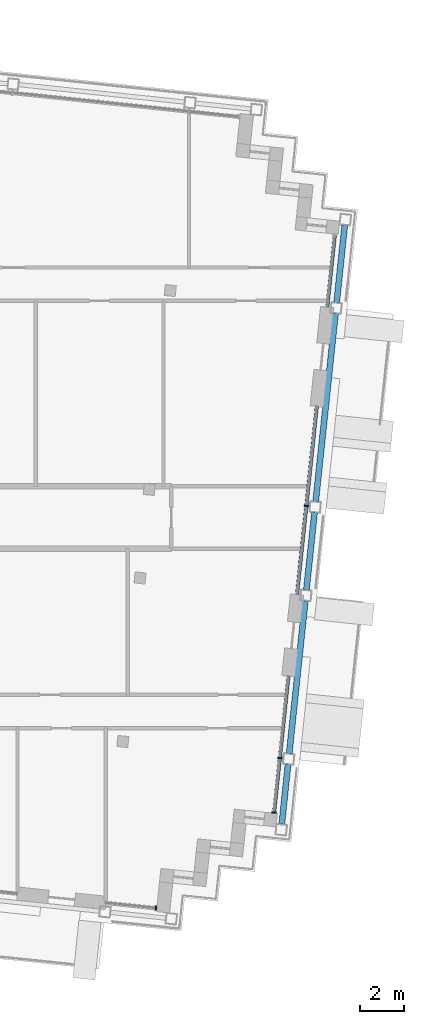
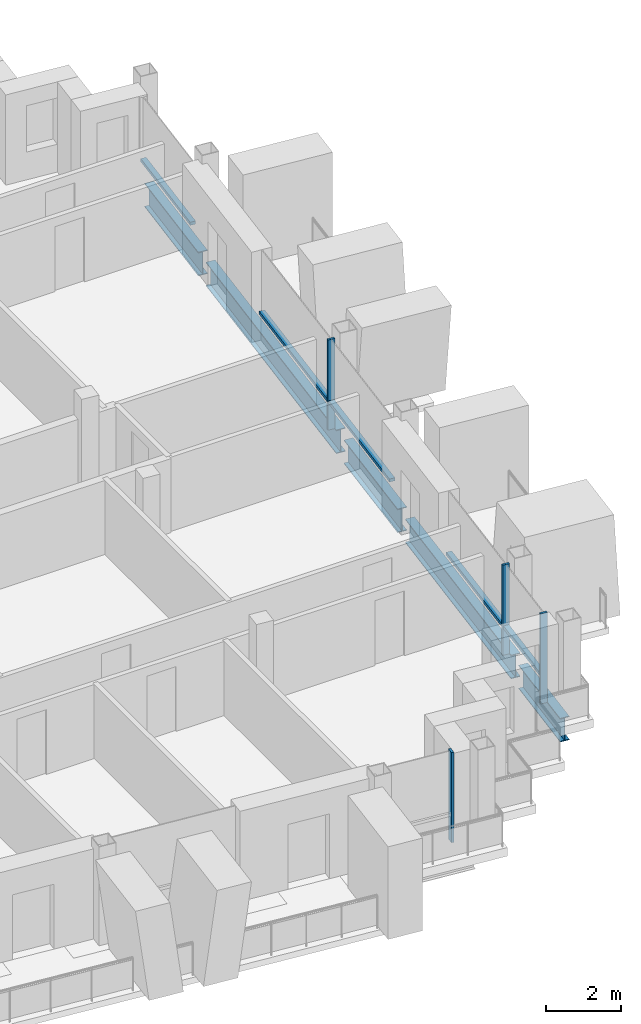
# One storey, part 4 of 16: 9 members, 5 beams, 4 elements without a shape of their own.
"""IFC4 building model written with IfcOpenShell, lengths in metres."""

from ifc_helpers import new_model, si_unit, direction, frame, origin, origin_2d, place, context, subcontext, project, spatial, rectangle, i_section, extrude, material, material_profile, profile_set, type_object, element, aggregate, save


model = new_model("IFC4")

# Units and contexts
model_context = context("Model", 3, precision=1e-05, world=origin(), true_north=direction((0.0, 1.0)))
body_context = subcontext(model_context, "Body", "Model", "MODEL_VIEW")
ifc_project = project(units=[si_unit("LENGTHUNIT", "METRE"), si_unit("AREAUNIT", "SQUARE_METRE"), si_unit("VOLUMEUNIT", "CUBIC_METRE"), si_unit("PLANEANGLEUNIT", "RADIAN"), si_unit("MASSUNIT", "GRAM", prefix="KILO")], contexts=[model_context])

# Site, building, storey
site_placement = place(None, origin())
site = spatial("IfcSite", under=ifc_project, at=site_placement, CompositionType="ELEMENT")
building_placement = place(site_placement, origin())
building = spatial("IfcBuilding", under=site, at=building_placement, Name="Vidyagriha Tower", CompositionType="ELEMENT")
storey_placement = place(building_placement, frame((0.0, 0.0, 275.5)))
storey = spatial("IfcBuildingStorey", under=building, at=storey_placement, Name="L72", CompositionType="ELEMENT", Elevation=275.5)

# Beams
ifc_material_1 = material(Name="Steel ASTM A992 Grade 50", Category="steel")
ifc_material_profile_1 = material_profile(ifc_material_1, i_section(OverallWidth=0.2666015625, OverallDepth=0.76953125, WebThickness=0.015625, FlangeThickness=0.025390625, at=origin_2d()), Name="W30X132")
ifc_profile_set_1 = profile_set([ifc_material_profile_1], Name="Steel ASTM A992 Grade 50")
beam_type = type_object("IfcBeamType", Name="Cantilever edge beam W30X132", PredefinedType="SPANDREL", material=ifc_profile_set_1)
beam_1_placement = place(storey_placement, frame((29.968017578125, -13.79736328125, -0.664794921875), z_axis=(0.104435320588, 0.994531680649, 0.0), x_axis=(-0.994531680649, 0.104435320588, 0.0)))
element("IfcBeam", 1, at=beam_1_placement, inside=storey, type_object=beam_type, Name="st-beam-L72-E13", PredefinedType="SPANDREL", context=body_context, shape_type="SweptSolid", body=[
    extrude(i_section(OverallWidth=0.2666015625, OverallDepth=0.76953125, WebThickness=0.015625, FlangeThickness=0.025390625, at=origin_2d()), origin(), (0.0, 0.0, 1.0), 2.699951171875),
])
beam_2_placement = place(storey_placement, frame((30.30224609375, -10.61474609375, -0.664794921875), z_axis=(0.104557694553, 0.994518822602, 0.0), x_axis=(-0.994518822602, 0.104557694553, 0.0)))
element("IfcBeam", 2, at=beam_2_placement, inside=storey, type_object=beam_type, Name="st-beam-L72-E14", PredefinedType="SPANDREL", context=body_context, shape_type="SweptSolid", body=[
    extrude(i_section(OverallWidth=0.2666015625, OverallDepth=0.76953125, WebThickness=0.015625, FlangeThickness=0.025390625, at=origin_2d()), origin(), (0.0, 0.0, 1.0), 6.89990234375),
])
beam_3_placement = place(storey_placement, frame((31.075927734375, -3.25537109375, -0.664794921875), z_axis=(0.104495960989, 0.994525310958, 0.0), x_axis=(-0.994525310958, 0.104495960989, 0.0)))
element("IfcBeam", 3, at=beam_3_placement, inside=storey, type_object=beam_type, Name="st-beam-L72-E15", PredefinedType="SPANDREL", context=body_context, shape_type="SweptSolid", body=[
    extrude(i_section(OverallWidth=0.2666015625, OverallDepth=0.76953125, WebThickness=0.015625, FlangeThickness=0.025390625, at=origin_2d()), origin(), (0.0, 0.0, 1.0), 3.499755859375),
])
beam_4_placement = place(storey_placement, frame((31.493896484375, 0.72265625, -0.664794921875), z_axis=(0.104550220202, 0.994519608382, 0.0), x_axis=(-0.994519608382, 0.104550220202, 0.0)))
element("IfcBeam", 4, at=beam_4_placement, inside=storey, type_object=beam_type, Name="st-beam-L72-E16", PredefinedType="SPANDREL", context=body_context, shape_type="SweptSolid", body=[
    extrude(i_section(OverallWidth=0.2666015625, OverallDepth=0.76953125, WebThickness=0.015625, FlangeThickness=0.025390625, at=origin_2d()), origin(), (0.0, 0.0, 1.0), 8.5),
])
beam_5_placement = place(storey_placement, frame((32.434814453125, 9.67333984375, -0.664794921875), z_axis=(0.104488712073, 0.994526072584, 0.0), x_axis=(-0.994526072584, 0.104488712073, 0.0)))
element("IfcBeam", 5, at=beam_5_placement, inside=storey, type_object=beam_type, Name="st-beam-L72-E17", PredefinedType="SPANDREL", context=body_context, shape_type="SweptSolid", body=[
    extrude(i_section(OverallWidth=0.2666015625, OverallDepth=0.76953125, WebThickness=0.015625, FlangeThickness=0.025390625, at=origin_2d()), origin(), (0.0, 0.0, 1.0), 3.5),
])

# Curtain wall, member
ifc_material_2 = material(Name="Aluminium and glass curtain wall", Category="aluminium")
curtain_wall_type = type_object("IfcCurtainWallType", Name="Dwelling skin unitised curtain wall", PredefinedType="USERDEFINED", material=ifc_material_2)
curtain_wall_1_placement = place(storey_placement, origin())
curtain_wall_1 = element("IfcCurtainWall", 6, at=curtain_wall_1_placement, inside=storey, type_object=curtain_wall_type, Name="CW1 dwelling skin", ObjectType="UNITISED", PredefinedType="USERDEFINED")
ifc_material_3 = material(Name="Aluminium black anodised", Category="aluminium")
ifc_material_profile_2 = material_profile(ifc_material_3, rectangle(XDim=0.199951171875, YDim=0.070068359375, at=origin_2d()), Name="Mullion 70x200 black aluminium")
ifc_profile_set_2 = profile_set([ifc_material_profile_2], Name="Aluminium black anodised")
member_type_1 = type_object("IfcMemberType", Name="Mullion 70x200 black aluminium", PredefinedType="MULLION", material=ifc_profile_set_2)
member_1_placement = place(storey_placement, frame((24.306884765625, -17.576171875, 0.0), z_axis=(0.0, 0.0, 1.0), x_axis=(0.10452182883, 0.994522592653, 0.0)))
member_1 = element("IfcMember", 7, at=member_1_placement, type_object=member_type_1, Name="CW1 mullion 2", PredefinedType="MULLION", context=body_context, shape_type="SweptSolid", body=[
    extrude(rectangle(XDim=0.199951171875, YDim=0.070068359375, at=origin_2d()), origin(), (0.0, 0.0, 1.0), 2.919921875),
])
aggregate(curtain_wall_1, [member_1])

# Curtain wall, members
curtain_wall_2_placement = place(storey_placement, origin())
curtain_wall_2 = element("IfcCurtainWall", 8, at=curtain_wall_2_placement, inside=storey, type_object=curtain_wall_type, Name="CW1 dwelling skin", ObjectType="UNITISED", PredefinedType="USERDEFINED")
member_2_placement = place(storey_placement, frame((29.620849609375, -13.273193359375, 0.0), z_axis=(0.0, 0.0, 1.0), x_axis=(-0.994521437861, 0.10453281607, 0.0)))
member_2 = element("IfcMember", 9, at=member_2_placement, type_object=member_type_1, Name="CW1 mullion 1", PredefinedType="MULLION", context=body_context, shape_type="SweptSolid", body=[
    extrude(rectangle(XDim=0.199951171875, YDim=0.070068359375, at=origin_2d()), origin(), (0.0, 0.0, 1.0), 2.919921875),
])
member_3_placement = place(storey_placement, frame((29.87841796875, -10.82177734375, 0.0), z_axis=(0.0, 0.0, 1.0), x_axis=(-0.994521437861, 0.10453281607, 0.0)))
member_3 = element("IfcMember", 10, at=member_3_placement, type_object=member_type_1, Name="CW1 mullion 2", PredefinedType="MULLION", context=body_context, shape_type="SweptSolid", body=[
    extrude(rectangle(XDim=0.199951171875, YDim=0.070068359375, at=origin_2d()), origin(), (0.0, 0.0, 1.0), 2.919921875),
])

# Curtain wall, member
curtain_wall_3_placement = place(storey_placement, origin())
curtain_wall_3 = element("IfcCurtainWall", 11, at=curtain_wall_3_placement, inside=storey, type_object=curtain_wall_type, Name="CW1 dwelling skin", ObjectType="UNITISED", PredefinedType="USERDEFINED")
member_4_placement = place(storey_placement, frame((31.070068359375, 0.515869140625, 0.0), z_axis=(0.0, 0.0, 1.0), x_axis=(-0.994521750347, 0.104529843047, 0.0)))
member_4 = element("IfcMember", 12, at=member_4_placement, type_object=member_type_1, Name="CW1 mullion 2", PredefinedType="MULLION", context=body_context, shape_type="SweptSolid", body=[
    extrude(rectangle(XDim=0.199951171875, YDim=0.070068359375, at=origin_2d()), origin(), (0.0, 0.0, 1.0), 2.919921875),
])

# Member
ifc_material_4 = material(Name="Aluminium black anodised", Category="aluminium")
ifc_material_profile_3 = material_profile(ifc_material_4, rectangle(XDim=0.159912109375, YDim=0.10009765625, at=origin_2d()), Name="Transom 100x160 black aluminium")
ifc_profile_set_3 = profile_set([ifc_material_profile_3], Name="Aluminium black anodised")
member_type_2 = type_object("IfcMemberType", Name="Transom 100x160 black aluminium", PredefinedType="USERDEFINED", material=ifc_profile_set_3)
member_5_placement = place(storey_placement, frame((29.62451171875, -13.23828125, 0.89990234375), z_axis=(0.104488443352, 0.994526100817, 0.0), x_axis=(-0.994526100817, 0.104488443352, 0.0)))
member_5 = element("IfcMember", 13, at=member_5_placement, type_object=member_type_2, Name="CW1 transom 1.1", ObjectType="TRANSOM", PredefinedType="USERDEFINED", context=body_context, shape_type="SweptSolid", body=[
    extrude(rectangle(XDim=0.159912109375, YDim=0.10009765625, at=origin_2d()), origin(), (0.0, 0.0, 1.0), 2.39501953125),
])

member_6_placement = place(storey_placement, frame((29.882080078125, -10.786865234375, 0.89990234375), z_axis=(0.104521800028, 0.99452259568, 0.0), x_axis=(-0.99452259568, 0.104521800028, 0.0)))
member_6 = element("IfcMember", 14, at=member_6_placement, type_object=member_type_2, Name="CW1 transom 2.1", ObjectType="TRANSOM", PredefinedType="USERDEFINED", context=body_context, shape_type="SweptSolid", body=[
    extrude(rectangle(XDim=0.159912109375, YDim=0.10009765625, at=origin_2d()), origin(), (0.0, 0.0, 1.0), 3.664794921875),
])

aggregate(curtain_wall_2, [member_2, member_3, member_5, member_6])

member_7_placement = place(storey_placement, frame((30.65185546875, -3.462158203125, 0.89990234375), z_axis=(0.104550167438, 0.994519613929, 0.0), x_axis=(-0.994519613929, 0.104550167438, 0.0)))
member_7 = element("IfcMember", 15, at=member_7_placement, type_object=member_type_2, Name="CW1 transom 1.1", ObjectType="TRANSOM", PredefinedType="USERDEFINED", context=body_context, shape_type="SweptSolid", body=[
    extrude(rectangle(XDim=0.159912109375, YDim=0.10009765625, at=origin_2d()), origin(), (0.0, 0.0, 1.0), 3.965087890625),
])

member_8_placement = place(storey_placement, frame((31.07373046875, 0.55078125, 0.89990234375), z_axis=(0.104494075643, 0.994525509052, 0.0), x_axis=(-0.994525509052, 0.104494075643, 0.0)))
member_8 = element("IfcMember", 16, at=member_8_placement, type_object=member_type_2, Name="CW1 transom 2.1", ObjectType="TRANSOM", PredefinedType="USERDEFINED", context=body_context, shape_type="SweptSolid", body=[
    extrude(rectangle(XDim=0.159912109375, YDim=0.10009765625, at=origin_2d()), origin(), (0.0, 0.0, 1.0), 4.46484375),
])

aggregate(curtain_wall_3, [member_4, member_7, member_8])

# Curtain wall, member
curtain_wall_4_placement = place(storey_placement, origin())
curtain_wall_4 = element("IfcCurtainWall", 17, at=curtain_wall_4_placement, inside=storey, type_object=curtain_wall_type, Name="CW1 dwelling skin", ObjectType="UNITISED", PredefinedType="USERDEFINED")
member_9_placement = place(storey_placement, frame((32.0107421875, 9.466552734375, 0.89990234375), z_axis=(0.104531339354, 0.994521593075, 0.0), x_axis=(-0.994521593075, 0.104531339354, 0.0)))
member_9 = element("IfcMember", 18, at=member_9_placement, type_object=member_type_2, Name="CW1 transom 1.1", ObjectType="TRANSOM", PredefinedType="USERDEFINED", context=body_context, shape_type="SweptSolid", body=[
    extrude(rectangle(XDim=0.159912109375, YDim=0.10009765625, at=origin_2d()), origin(), (0.0, 0.0, 1.0), 3.22998046875),
])
aggregate(curtain_wall_4, [member_9])

save(model, "model.ifc")
